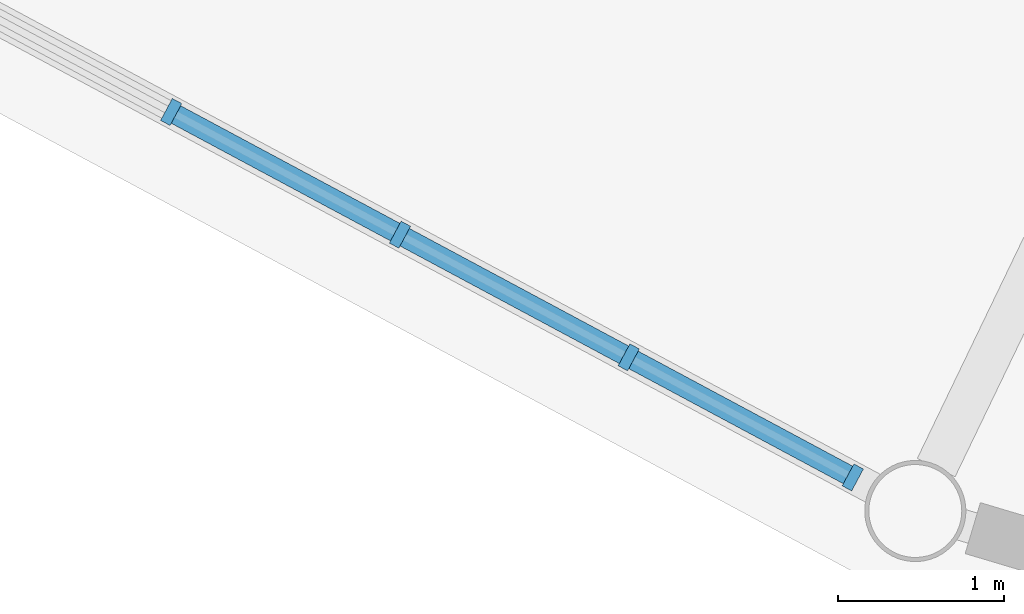
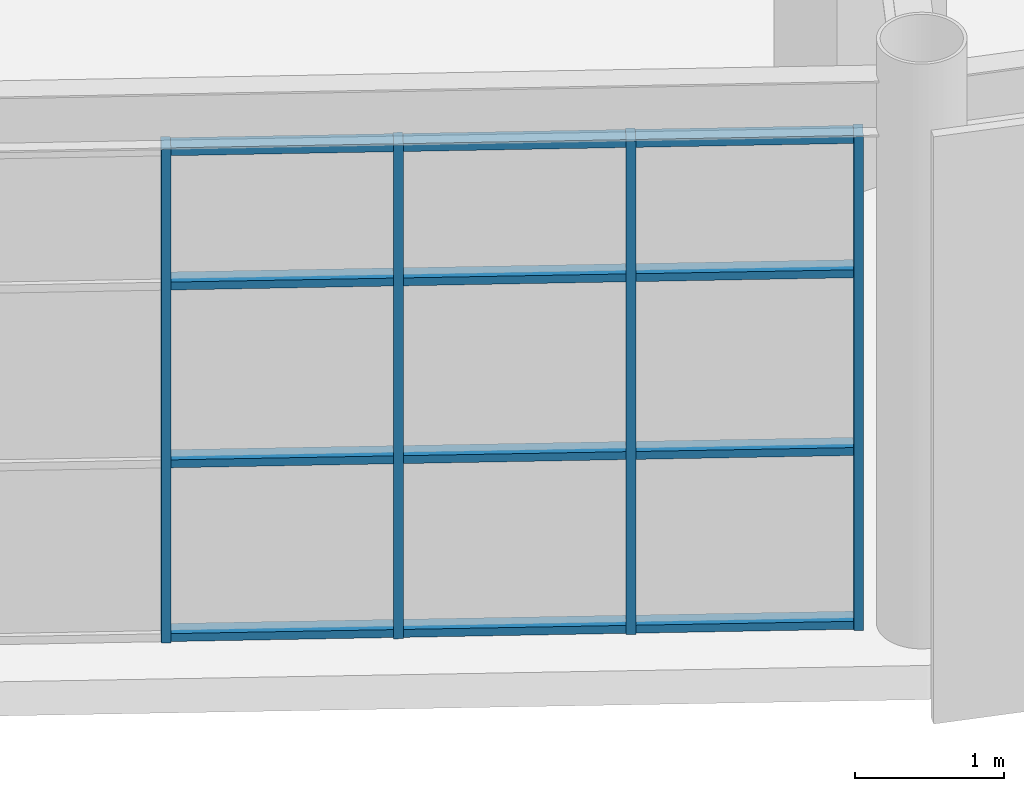
# One storey, part 18 of 112: 16 members, 1 element without a shape of its own.
"""IFC4 building model written with IfcOpenShell, lengths in metres."""

from ifc_helpers import new_model, si_unit, direction, frame, origin, origin_2d, place, context, subcontext, project, spatial, rectangle, extrude, material, material_profile, profile_set, type_object, element, aggregate, save


model = new_model("IFC4")

# Units and contexts
model_context = context("Model", 3, precision=1e-05, world=origin(), true_north=direction((0.0, 1.0)))
body_context = subcontext(model_context, "Body", "Model", "MODEL_VIEW")
ifc_project = project(units=[si_unit("LENGTHUNIT", "METRE"), si_unit("AREAUNIT", "SQUARE_METRE"), si_unit("VOLUMEUNIT", "CUBIC_METRE"), si_unit("PLANEANGLEUNIT", "RADIAN"), si_unit("MASSUNIT", "GRAM", prefix="KILO")], contexts=[model_context])

# Site, building, storey
site_placement = place(None, origin())
site = spatial("IfcSite", under=ifc_project, at=site_placement, CompositionType="ELEMENT")
building_placement = place(site_placement, origin())
building = spatial("IfcBuilding", under=site, at=building_placement, Name="Cuetzalor Civic Arena", CompositionType="ELEMENT")
storey_placement = place(building_placement, frame((0.0, 0.0, 11.39990234375)))
storey = spatial("IfcBuildingStorey", under=building, at=storey_placement, Name="L02", CompositionType="ELEMENT", Elevation=11.39990234375)

# Curtain wall, members
ifc_material_1 = material(Name="Anodised dark bronze aluminium and low-E solar glass", Category="aluminium")
curtain_wall_type = type_object("IfcCurtainWallType", Name="UnitisedCW_10950x4050", PredefinedType="USERDEFINED", material=ifc_material_1)
curtain_wall_placement = place(storey_placement, origin())
curtain_wall = element("IfcCurtainWall", 1, at=curtain_wall_placement, inside=storey, type_object=curtain_wall_type, Name="Drum Triangle Foyer Curtain Wall L02-040", ObjectType="UNITISED CURTAIN WALL", PredefinedType="USERDEFINED")
ifc_material_2 = material(Name="Anodised dark bronze aluminium", Category="aluminium")
ifc_material_profile_1 = material_profile(ifc_material_2, rectangle(XDim=0.06494140625, YDim=0.14990234375, at=origin_2d()), Name="ALU MULLION 65x150")
ifc_profile_set_1 = profile_set([ifc_material_profile_1], Name="Anodised dark bronze aluminium")
member_type_1 = type_object("IfcMemberType", Name="CurtainWallMullion_60x150", PredefinedType="MULLION", material=ifc_profile_set_1)
member_1_placement = place(storey_placement, frame((-24.044921875, -41.738037109375, 0.0), z_axis=(0.0, 0.0, 1.0), x_axis=(-0.881306344124, 0.472545371163, 0.0)))
member_1 = element("IfcMember", 2, at=member_1_placement, type_object=member_type_1, Name="CW-13 mullion 1", PredefinedType="MULLION", context=body_context, shape_type="SweptSolid", body=[
    extrude(rectangle(XDim=0.06494140625, YDim=0.14990234375, at=origin_2d()), origin(), (0.0, 0.0, 1.0), 4.052978515625),
])
member_2_placement = place(storey_placement, frame((-25.39453125, -41.0146484375, 0.0), z_axis=(0.0, 0.0, 1.0), x_axis=(-0.881306344124, 0.472545371163, 0.0)))
member_2 = element("IfcMember", 3, at=member_2_placement, type_object=member_type_1, Name="CW-13 mullion 2", PredefinedType="MULLION", context=body_context, shape_type="SweptSolid", body=[
    extrude(rectangle(XDim=0.06494140625, YDim=0.14990234375, at=origin_2d()), origin(), (0.0, 0.0, 1.0), 4.052978515625),
])
member_3_placement = place(storey_placement, frame((-26.772705078125, -40.275634765625, 0.0), z_axis=(0.0, 0.0, 1.0), x_axis=(-0.881306344124, 0.472545371163, 0.0)))
member_3 = element("IfcMember", 4, at=member_3_placement, type_object=member_type_1, Name="CW-13 mullion 3", PredefinedType="MULLION", context=body_context, shape_type="SweptSolid", body=[
    extrude(rectangle(XDim=0.06494140625, YDim=0.14990234375, at=origin_2d()), origin(), (0.0, 0.0, 1.0), 4.052978515625),
])
member_4_placement = place(storey_placement, frame((-28.15087890625, -39.53662109375, 0.0), z_axis=(0.0, 0.0, 1.0), x_axis=(-0.881306344124, 0.472545371163, 0.0)))
member_4 = element("IfcMember", 5, at=member_4_placement, type_object=member_type_1, Name="CW-13 mullion 4", PredefinedType="MULLION", context=body_context, shape_type="SweptSolid", body=[
    extrude(rectangle(XDim=0.06494140625, YDim=0.14990234375, at=origin_2d()), origin(), (0.0, 0.0, 1.0), 4.052978515625),
])
ifc_material_3 = material(Name="Anodised dark bronze aluminium", Category="aluminium")
ifc_material_profile_2 = material_profile(ifc_material_3, rectangle(XDim=0.1201171875, YDim=0.06494140625, at=origin_2d()), Name="ALU TRANSOM 65x120")
ifc_profile_set_2 = profile_set([ifc_material_profile_2], Name="Anodised dark bronze aluminium")
member_type_2 = type_object("IfcMemberType", Name="CurtainWallTransom_60x120", PredefinedType="USERDEFINED", material=ifc_profile_set_2)
member_5_placement = place(storey_placement, frame((-24.07373046875, -41.722900390625, 0.03271484375), z_axis=(-0.881309117216, 0.472540199255, 0.0), x_axis=(-0.472540199255, -0.881309117216, 0.0)))
member_5 = element("IfcMember", 6, at=member_5_placement, type_object=member_type_2, Name="CW-13 transom 1.1", ObjectType="TRANSOM", PredefinedType="USERDEFINED", context=body_context, shape_type="SweptSolid", body=[
    extrude(rectangle(XDim=0.1201171875, YDim=0.06494140625, at=origin_2d()), origin(), (0.0, 0.0, 1.0), 1.46630859375),
])
member_6_placement = place(storey_placement, frame((-24.07373046875, -41.722900390625, 1.458984375), z_axis=(-0.881309117216, 0.472540199255, 0.0), x_axis=(-0.472540199255, -0.881309117216, 0.0)))
member_6 = element("IfcMember", 7, at=member_6_placement, type_object=member_type_2, Name="CW-13 transom 1.2", ObjectType="TRANSOM", PredefinedType="USERDEFINED", context=body_context, shape_type="SweptSolid", body=[
    extrude(rectangle(XDim=0.1201171875, YDim=0.06494140625, at=origin_2d()), origin(), (0.0, 0.0, 1.0), 1.46630859375),
])
member_7_placement = place(storey_placement, frame((-24.07373046875, -41.722900390625, 2.918212890625), z_axis=(-0.881309117216, 0.472540199255, 0.0), x_axis=(-0.472540199255, -0.881309117216, 0.0)))
member_7 = element("IfcMember", 8, at=member_7_placement, type_object=member_type_2, Name="CW-13 transom 1.3", ObjectType="TRANSOM", PredefinedType="USERDEFINED", context=body_context, shape_type="SweptSolid", body=[
    extrude(rectangle(XDim=0.1201171875, YDim=0.06494140625, at=origin_2d()), origin(), (0.0, 0.0, 1.0), 1.46630859375),
])
member_8_placement = place(storey_placement, frame((-24.07373046875, -41.722900390625, 4.0205078125), z_axis=(-0.881309117216, 0.472540199255, 0.0), x_axis=(-0.472540199255, -0.881309117216, 0.0)))
member_8 = element("IfcMember", 9, at=member_8_placement, type_object=member_type_2, Name="CW-13 transom 1.4", ObjectType="TRANSOM", PredefinedType="USERDEFINED", context=body_context, shape_type="SweptSolid", body=[
    extrude(rectangle(XDim=0.1201171875, YDim=0.06494140625, at=origin_2d()), origin(), (0.0, 0.0, 1.0), 1.46630859375),
])
member_9_placement = place(storey_placement, frame((-25.423095703125, -40.999267578125, 0.03271484375), z_axis=(-0.881327378195, 0.472506140112, 0.0), x_axis=(-0.472506140112, -0.881327378195, 0.0)))
member_9 = element("IfcMember", 10, at=member_9_placement, type_object=member_type_2, Name="CW-13 transom 2.1", ObjectType="TRANSOM", PredefinedType="USERDEFINED", context=body_context, shape_type="SweptSolid", body=[
    extrude(rectangle(XDim=0.1201171875, YDim=0.06494140625, at=origin_2d()), origin(), (0.0, 0.0, 1.0), 1.4990234375),
])
member_10_placement = place(storey_placement, frame((-25.423095703125, -40.999267578125, 1.458984375), z_axis=(-0.881327378195, 0.472506140112, 0.0), x_axis=(-0.472506140112, -0.881327378195, 0.0)))
member_10 = element("IfcMember", 11, at=member_10_placement, type_object=member_type_2, Name="CW-13 transom 2.2", ObjectType="TRANSOM", PredefinedType="USERDEFINED", context=body_context, shape_type="SweptSolid", body=[
    extrude(rectangle(XDim=0.1201171875, YDim=0.06494140625, at=origin_2d()), origin(), (0.0, 0.0, 1.0), 1.4990234375),
])
member_11_placement = place(storey_placement, frame((-25.423095703125, -40.999267578125, 2.918212890625), z_axis=(-0.881327378195, 0.472506140112, 0.0), x_axis=(-0.472506140112, -0.881327378195, 0.0)))
member_11 = element("IfcMember", 12, at=member_11_placement, type_object=member_type_2, Name="CW-13 transom 2.3", ObjectType="TRANSOM", PredefinedType="USERDEFINED", context=body_context, shape_type="SweptSolid", body=[
    extrude(rectangle(XDim=0.1201171875, YDim=0.06494140625, at=origin_2d()), origin(), (0.0, 0.0, 1.0), 1.4990234375),
])
member_12_placement = place(storey_placement, frame((-25.423095703125, -40.999267578125, 4.0205078125), z_axis=(-0.881327378195, 0.472506140112, 0.0), x_axis=(-0.472506140112, -0.881327378195, 0.0)))
member_12 = element("IfcMember", 13, at=member_12_placement, type_object=member_type_2, Name="CW-13 transom 2.4", ObjectType="TRANSOM", PredefinedType="USERDEFINED", context=body_context, shape_type="SweptSolid", body=[
    extrude(rectangle(XDim=0.1201171875, YDim=0.06494140625, at=origin_2d()), origin(), (0.0, 0.0, 1.0), 1.4990234375),
])
member_13_placement = place(storey_placement, frame((-26.80126953125, -40.26025390625, 0.03271484375), z_axis=(-0.881291006113, 0.472573975737, 0.0), x_axis=(-0.472573975737, -0.881291006113, 0.0)))
member_13 = element("IfcMember", 14, at=member_13_placement, type_object=member_type_2, Name="CW-13 transom 3.1", ObjectType="TRANSOM", PredefinedType="USERDEFINED", context=body_context, shape_type="SweptSolid", body=[
    extrude(rectangle(XDim=0.1201171875, YDim=0.06494140625, at=origin_2d()), origin(), (0.0, 0.0, 1.0), 1.498779296875),
])
member_14_placement = place(storey_placement, frame((-26.80126953125, -40.26025390625, 1.458984375), z_axis=(-0.881291006113, 0.472573975737, 0.0), x_axis=(-0.472573975737, -0.881291006113, 0.0)))
member_14 = element("IfcMember", 15, at=member_14_placement, type_object=member_type_2, Name="CW-13 transom 3.2", ObjectType="TRANSOM", PredefinedType="USERDEFINED", context=body_context, shape_type="SweptSolid", body=[
    extrude(rectangle(XDim=0.1201171875, YDim=0.06494140625, at=origin_2d()), origin(), (0.0, 0.0, 1.0), 1.498779296875),
])
member_15_placement = place(storey_placement, frame((-26.80126953125, -40.26025390625, 2.918212890625), z_axis=(-0.881291006113, 0.472573975737, 0.0), x_axis=(-0.472573975737, -0.881291006113, 0.0)))
member_15 = element("IfcMember", 16, at=member_15_placement, type_object=member_type_2, Name="CW-13 transom 3.3", ObjectType="TRANSOM", PredefinedType="USERDEFINED", context=body_context, shape_type="SweptSolid", body=[
    extrude(rectangle(XDim=0.1201171875, YDim=0.06494140625, at=origin_2d()), origin(), (0.0, 0.0, 1.0), 1.498779296875),
])
member_16_placement = place(storey_placement, frame((-26.80126953125, -40.26025390625, 4.0205078125), z_axis=(-0.881291006113, 0.472573975737, 0.0), x_axis=(-0.472573975737, -0.881291006113, 0.0)))
member_16 = element("IfcMember", 17, at=member_16_placement, type_object=member_type_2, Name="CW-13 transom 3.4", ObjectType="TRANSOM", PredefinedType="USERDEFINED", context=body_context, shape_type="SweptSolid", body=[
    extrude(rectangle(XDim=0.1201171875, YDim=0.06494140625, at=origin_2d()), origin(), (0.0, 0.0, 1.0), 1.498779296875),
])
aggregate(curtain_wall, [member_1, member_2, member_3, member_4, member_5, member_6, member_7, member_8, member_9, member_10, member_11, member_12, member_13, member_14, member_15, member_16])

save(model, "model.ifc")
